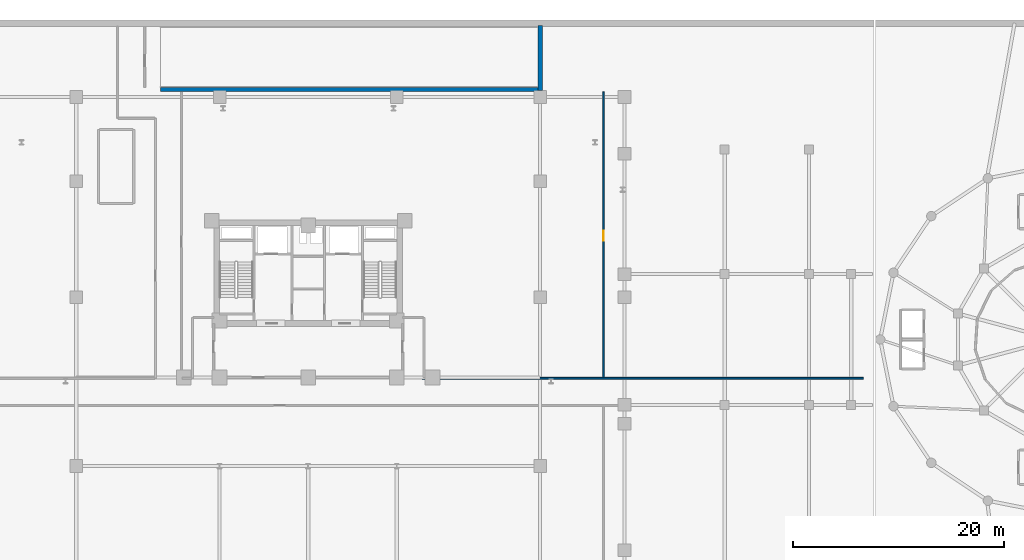
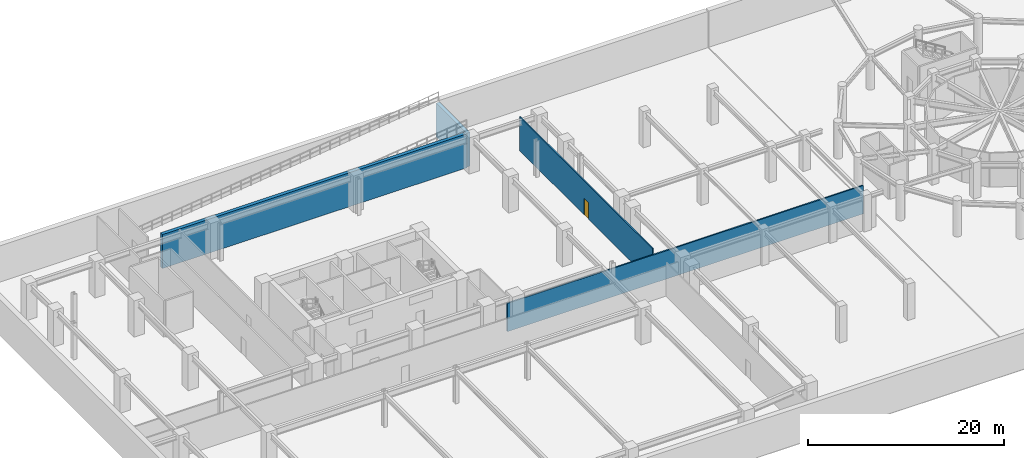
# One storey, part 10 of 15: 4 walls, 1 door, 1 opening.
"""IFC4 building model written with IfcOpenShell, lengths in metres."""

from ifc_helpers import new_model, si_unit, derived_unit, direction, frame, frame_2d, origin, place, context, subcontext, project, spatial, rectangle, extrude, material, layer, layer_set, type_object, element, fill, save


model = new_model("IFC4")

# Units and contexts
model_context = context("Model", 3, precision=1e-05, world=origin(), true_north=direction((0.0, 1.0)))
body_context = subcontext(model_context, "Body", "Model", "MODEL_VIEW")
ifc_project = project(units=[si_unit("LENGTHUNIT", "METRE"), si_unit("AREAUNIT", "SQUARE_METRE"), si_unit("VOLUMEUNIT", "CUBIC_METRE"), si_unit("PLANEANGLEUNIT", "RADIAN"), si_unit("MASSUNIT", "GRAM", prefix="KILO"), derived_unit("THERMALTRANSMITTANCEUNIT", [(si_unit("POWERUNIT", "WATT"), 1), (si_unit("LENGTHUNIT", "METRE"), -2), (si_unit("THERMODYNAMICTEMPERATUREUNIT", "KELVIN"), -1)])], contexts=[model_context])

# Site, building, storey
site_placement = place(None, origin())
site = spatial("IfcSite", under=ifc_project, at=site_placement, CompositionType="ELEMENT")
building_placement = place(site_placement, origin())
building = spatial("IfcBuilding", under=site, at=building_placement, Name="Korsvarv Bourse and Concert Hall", CompositionType="ELEMENT")
storey_placement = place(building_placement, frame((0.0, 0.0, -4.5)))
storey = spatial("IfcBuildingStorey", under=building, at=storey_placement, Name="B01", CompositionType="ELEMENT", Elevation=-4.5)

# Walls
ifc_material_1 = material(Name="Concrete C50/60", Category="concrete")
ifc_layer_1 = layer(ifc_material_1, 0.39990234375)
ifc_layer_set_1 = layer_set([ifc_layer_1], Name="Concrete C50/60")
wall_type_1 = type_object("IfcWallType", Name="WL-DRM-400", PredefinedType="SOLIDWALL", material=ifc_layer_set_1)
wall_1_placement = place(storey_placement, frame((22.0, 59.699951171875, 0.0), z_axis=(0.0, 0.0, 1.0), x_axis=(1.0, 0.0, 0.0)))
element("IfcWall", 1, at=wall_1_placement, inside=storey, type_object=wall_type_1, Name="B01 Vehicle Ramp South Side Bearing Wall", PredefinedType="SOLIDWALL", context=body_context, shape_type="SweptSolid", body=[
    extrude(rectangle(XDim=35.800048828125, YDim=0.39990234375, at=frame_2d((17.89990234375, 0.0))), origin(), (0.0, 0.0, 1.0), 4.219970703125),
])
wall_2_placement = place(storey_placement, frame((58.0, 59.60009765625, 0.0), z_axis=(0.0, 0.0, 1.0), x_axis=(0.0, 1.0, 0.0)))
element("IfcWall", 2, at=wall_2_placement, inside=storey, type_object=wall_type_1, Name="B01 Vehicle Ramp Head Bearing Wall", PredefinedType="SOLIDWALL", context=body_context, shape_type="SweptSolid", body=[
    extrude(rectangle(XDim=6.199951171875, YDim=0.39990234375, at=frame_2d((3.10009765625, 0.0))), origin(), (0.0, 0.0, 1.0), 4.219970703125),
])
ifc_material_2 = material(Name="Double-stud fire-rated acoustic partition", Category="gypsum")
ifc_layer_2 = layer(ifc_material_2, 0.159912109375)
ifc_layer_set_2 = layer_set([ifc_layer_2], Name="Double-stud fire-rated acoustic partition")
wall_type_2 = type_object("IfcWallType", Name="WL-INT-EI60", PredefinedType="PARTITIONING", material=ifc_layer_set_2)
wall_3_placement = place(storey_placement, frame((46.820068359375, 32.324951171875, 0.0), z_axis=(0.0, 0.0, 1.0), x_axis=(1.0, 0.0, 0.0)))
element("IfcWall", 3, at=wall_3_placement, inside=storey, type_object=wall_type_2, Name="B01 interior partition wall W-B01-BCOR-02", PredefinedType="PARTITIONING", context=body_context, shape_type="SweptSolid", body=[
    extrude(rectangle(XDim=41.83984375, YDim=0.159912109375, at=frame_2d((20.919921875, 0.0))), origin(), (0.0, 0.0, 1.0), 3.52001953125),
])

# Wall, opening, door
ifc_material_3 = material(Name="Insulated steel-stud office acoustic partition", Category="gypsum")
ifc_layer_3 = layer(ifc_material_3, 0.139892578125)
ifc_layer_set_3 = layer_set([ifc_layer_3], Name="Insulated steel-stud office acoustic partition")
wall_type_3 = type_object("IfcWallType", Name="WL-INT-P1", PredefinedType="PARTITIONING", material=ifc_layer_set_3)
wall_4_placement = place(storey_placement, frame((64.0048828125, 32.406982421875, 0.0), z_axis=(0.0, 0.0, 1.0), x_axis=(0.0, 1.0, 0.0)))
wall_4 = element("IfcWall", 4, at=wall_4_placement, inside=storey, type_object=wall_type_3, Name="B01 interior partition wall W-B01-BCOR-14", PredefinedType="PARTITIONING", context=body_context, shape_type="SweptSolid", body=[
    extrude(rectangle(XDim=27.072998046875, YDim=0.139892578125, at=frame_2d((13.53662109375, 0.0))), origin(), (0.0, 0.0, 1.0), 4.219970703125),
])
opening_placement = place(wall_4_placement, frame((12.95263671875, 0.0, 0.0)))
opening = element("IfcOpeningElement", 5, at=opening_placement, cuts=wall_4, Name="Opening D-03", PredefinedType="OPENING", context=body_context, shape_type="SweptSolid", body=[
    extrude(rectangle(XDim=0.949951171875, YDim=2.050048828125, at=frame_2d((0.47509765625, 1.02490234375))), frame((0.0, 0.080078125, 0.0), z_axis=(0.0, -1.0, 0.0), x_axis=(1.0, 0.0, 0.0)), (0.0, 0.0, 1.0), 0.159912109375),
])
ifc_material_4 = material(Name="Nordic oak acoustic office door", Category="wood")
door_type = type_object("IfcDoorType", Name="DR-INT-1", OperationType="NOTDEFINED", PredefinedType="DOOR", material=ifc_material_4)
door_placement = place(opening_placement, origin())
door = element("IfcDoor", 6, at=door_placement, inside=storey, type_object=door_type, Name="B01 interior door DR-B01-BCOR-LOD14", OperationType="SINGLE_SWING_RIGHT", OverallHeight=2.050048828125, OverallWidth=0.949951171875, PredefinedType="DOOR", context=body_context, shape_type="SweptSolid", body=[
    extrude(rectangle(XDim=0.949951171875, YDim=2.050048828125, at=frame_2d((0.47509765625, 1.02490234375))), frame((0.0, 0.02490234375, 0.0), z_axis=(0.0, -1.0, 0.0), x_axis=(1.0, 0.0, 0.0)), (0.0, 0.0, 1.0), 0.050048828125),
])
fill(opening, door)

save(model, "model.ifc")
